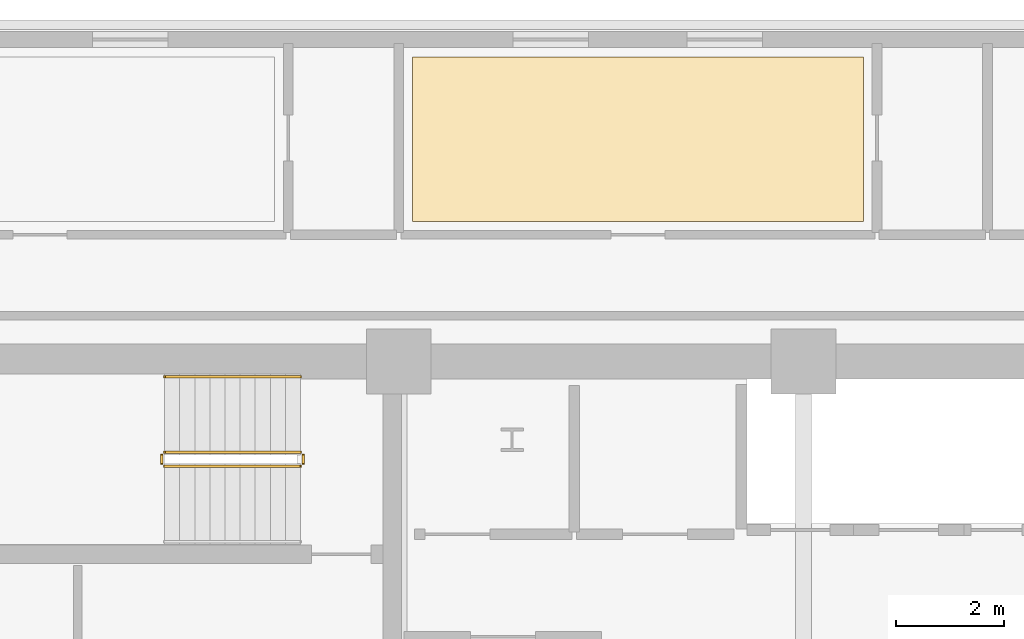
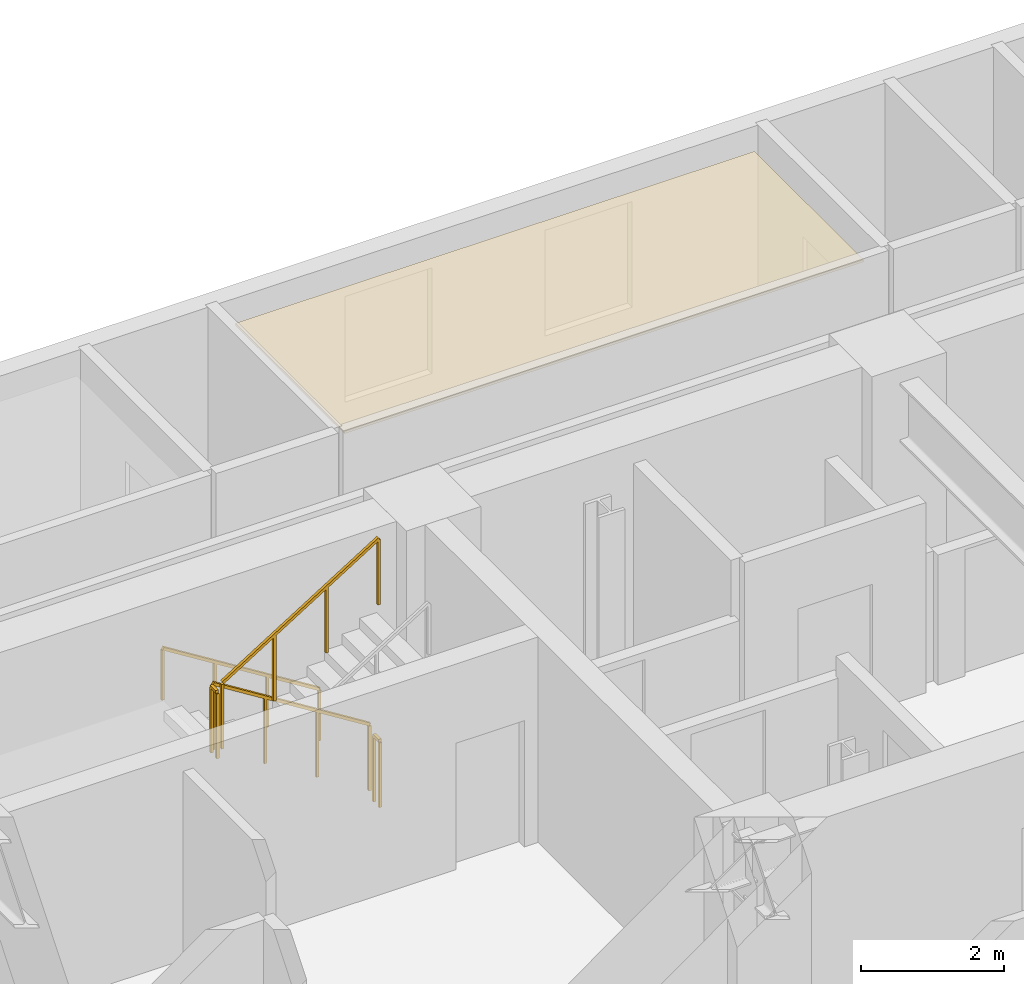
# One storey, part 14 of 15: 5 railings, 1 covering.
"""IFC4 building model written with IfcOpenShell, lengths in metres."""

from ifc_helpers import new_model, si_unit, direction, frame, origin, origin_2d, place, context, subcontext, project, spatial, polyline, rectangle, outline, extrude, material, layer, layer_set, type_object, element, save


model = new_model("IFC4")

# Units and contexts
model_context = context("Model", 3, precision=1e-05, world=origin(), true_north=direction((0.0, 1.0)))
body_context = subcontext(model_context, "Body", "Model", "MODEL_VIEW")
ifc_project = project(units=[si_unit("LENGTHUNIT", "METRE"), si_unit("AREAUNIT", "SQUARE_METRE"), si_unit("VOLUMEUNIT", "CUBIC_METRE"), si_unit("PLANEANGLEUNIT", "RADIAN"), si_unit("MASSUNIT", "GRAM", prefix="KILO")], contexts=[model_context])

# Site, building, storey
site_placement = place(None, origin())
site = spatial("IfcSite", under=ifc_project, at=site_placement, CompositionType="ELEMENT")
building_placement = place(site_placement, origin())
building = spatial("IfcBuilding", under=site, at=building_placement, Name="Zarnavel Station Tower", CompositionType="ELEMENT")
storey_placement = place(building_placement, frame((0.0, 0.0, 111.800048828125)))
storey = spatial("IfcBuildingStorey", under=building, at=storey_placement, Name="L30", CompositionType="ELEMENT", Elevation=111.800048828125)

# Covering
ifc_material_1 = material(Name="Perforated Gypsum and Mineral-Wool Acoustic Ceiling", Category="concrete")
ifc_layer = layer(ifc_material_1, 0.0400390625)
ifc_layer_set = layer_set([ifc_layer], Name="COV_CEIL_ACOUSTIC")
covering_type = type_object("IfcCoveringType", Name="COV_CEIL_ACOUSTIC", PredefinedType="CEILING", material=ifc_layer_set)
covering_placement = place(storey_placement, frame((0.0, 0.0, 2.919921875)))
element("IfcCovering", 1, at=covering_placement, inside=storey, type_object=covering_type, Name="L30 HN2R Acoustic Ceiling", PredefinedType="CEILING", context=body_context, shape_type="SweptSolid", body=[
    extrude(outline(polyline([(21.550048828125, 39.64990234375), (29.910888671875, 39.64990234375), (29.910888671875, 42.68994140625), (21.550048828125, 42.68994140625), (21.550048828125, 39.64990234375)])), origin(), (0.0, 0.0, 1.0), 0.0400390625),
])

# Railings
ifc_material_2 = material(Name="Painted Steel S355J2 Balustrade", Category="steel")
railing_type_1 = type_object("IfcRailingType", Name="GR_INT_1150", PredefinedType="GUARDRAIL", material=ifc_material_2)
railing_1_placement = place(storey_placement, frame((19.47998046875, 35.3701171875, 0.175048828125)))
element("IfcRailing", 2, at=railing_1_placement, inside=storey, type_object=railing_type_1, Name="L30 ST1 stair guard 1", PredefinedType="GUARDRAIL", context=body_context, shape_type="SweptSolid", body=[
    extrude(rectangle(XDim=0.048095703125, YDim=0.048095703125, at=origin_2d()), frame((-0.001708984375, 0.0, 1.126953125), z_axis=(-0.848007534815, 0.0, 0.529984170421), x_axis=(0.0, -1.0, 0.0)), (0.0, 0.0, 1.0), 2.9677734375),
    extrude(rectangle(XDim=0.0419921875, YDim=0.0419921875, at=origin_2d()), origin(), (0.0, 0.0, 1.0), 1.101806640625),
    extrude(rectangle(XDim=0.0419921875, YDim=0.0419921875, at=origin_2d()), frame((-0.840087890625, 0.0, 0.52490234375)), (0.0, 0.0, 1.0), 1.101806640625),
    extrude(rectangle(XDim=0.0419921875, YDim=0.0419921875, at=origin_2d()), frame((-1.679931640625, 0.0, 1.050048828125)), (0.0, 0.0, 1.0), 1.101806640625),
    extrude(rectangle(XDim=0.0419921875, YDim=0.0419921875, at=origin_2d()), frame((-2.52001953125, 0.0, 1.574951171875)), (0.0, 0.0, 1.0), 1.101806640625),
])
railing_2_placement = place(storey_placement, frame((16.909912109375, 35.320068359375, 1.75)))
element("IfcRailing", 3, at=railing_2_placement, inside=storey, type_object=railing_type_1, Name="L30 ST1 stair guard 2", PredefinedType="GUARDRAIL", context=body_context, shape_type="SweptSolid", body=[
    extrude(rectangle(XDim=0.048095703125, YDim=0.048095703125, at=origin_2d()), frame((0.0, -0.001953125, 1.1259765625), z_axis=(0.0, -1.0, 0.0), x_axis=(1.0, 0.0, 0.0)), (0.0, 0.0, 1.0), 0.15625),
    extrude(rectangle(XDim=0.0419921875, YDim=0.0419921875, at=origin_2d()), origin(), (0.0, 0.0, 1.0), 1.101806640625),
    extrude(rectangle(XDim=0.0419921875, YDim=0.0419921875, at=origin_2d()), frame((0.0, -0.16015625, 0.0)), (0.0, 0.0, 1.0), 1.101806640625),
])
railing_3_placement = place(storey_placement, frame((16.9599609375, 35.110107421875, 1.925048828125)))
element("IfcRailing", 4, at=railing_3_placement, inside=storey, type_object=railing_type_1, Name="L30 ST1 stair guard 3", PredefinedType="GUARDRAIL", context=body_context, shape_type="SweptSolid", body=[
    extrude(rectangle(XDim=0.048095703125, YDim=0.048095703125, at=origin_2d()), frame((0.001708984375, 0.0, 1.126953125), z_axis=(0.848007534815, 0.0, 0.529984170421), x_axis=(0.0, 1.0, 0.0)), (0.0, 0.0, 1.0), 2.9677734375),
    extrude(rectangle(XDim=0.0419921875, YDim=0.0419921875, at=origin_2d()), origin(), (0.0, 0.0, 1.0), 1.101806640625),
    extrude(rectangle(XDim=0.0419921875, YDim=0.0419921875, at=origin_2d()), frame((0.840087890625, 0.0, 0.52490234375)), (0.0, 0.0, 1.0), 1.101806640625),
    extrude(rectangle(XDim=0.0419921875, YDim=0.0419921875, at=origin_2d()), frame((1.679931640625, 0.0, 1.050048828125)), (0.0, 0.0, 1.0), 1.101806640625),
    extrude(rectangle(XDim=0.0419921875, YDim=0.0419921875, at=origin_2d()), frame((2.52001953125, 0.0, 1.574951171875)), (0.0, 0.0, 1.0), 1.101806640625),
])
railing_4_placement = place(storey_placement, frame((19.530029296875, 35.320068359375, 0.0)))
element("IfcRailing", 5, at=railing_4_placement, inside=storey, type_object=railing_type_1, Name="L30 ST1 stair guard 4", PredefinedType="GUARDRAIL", context=body_context, shape_type="SweptSolid", body=[
    extrude(rectangle(XDim=0.048095703125, YDim=0.048095703125, at=origin_2d()), frame((0.0, -0.001953125, 1.1259765625), z_axis=(0.0, -1.0, 0.0), x_axis=(1.0, 0.0, 0.0)), (0.0, 0.0, 1.0), 0.15625),
    extrude(rectangle(XDim=0.0419921875, YDim=0.0419921875, at=origin_2d()), origin(), (0.0, 0.0, 1.0), 1.101806640625),
    extrude(rectangle(XDim=0.0419921875, YDim=0.0419921875, at=origin_2d()), frame((0.0, -0.16015625, 0.0)), (0.0, 0.0, 1.0), 1.101806640625),
])
ifc_material_3 = material(Name="Brushed Stainless Steel S355J2 Handrail", Category="steel")
railing_type_2 = type_object("IfcRailingType", Name="HR_STAIR_900", PredefinedType="HANDRAIL", material=ifc_material_3)
railing_5_placement = place(storey_placement, frame((19.47998046875, 36.77001953125, 0.175048828125)))
element("IfcRailing", 6, at=railing_5_placement, inside=storey, type_object=railing_type_2, Name="L30 ST1 stair handrail 1", PredefinedType="HANDRAIL", context=body_context, shape_type="SweptSolid", body=[
    extrude(rectangle(XDim=0.048095703125, YDim=0.048095703125, at=origin_2d()), frame((-0.001708984375, 0.0, 0.876953125), z_axis=(-0.848007534815, 0.0, 0.529984170421), x_axis=(0.0, -1.0, 0.0)), (0.0, 0.0, 1.0), 2.9677734375),
    extrude(rectangle(XDim=0.0419921875, YDim=0.0419921875, at=origin_2d()), origin(), (0.0, 0.0, 1.0), 0.851806640625),
    extrude(rectangle(XDim=0.0419921875, YDim=0.0419921875, at=origin_2d()), frame((-0.840087890625, 0.0, 0.52490234375)), (0.0, 0.0, 1.0), 0.851806640625),
    extrude(rectangle(XDim=0.0419921875, YDim=0.0419921875, at=origin_2d()), frame((-1.679931640625, 0.0, 1.050048828125)), (0.0, 0.0, 1.0), 0.851806640625),
    extrude(rectangle(XDim=0.0419921875, YDim=0.0419921875, at=origin_2d()), frame((-2.52001953125, 0.0, 1.574951171875)), (0.0, 0.0, 1.0), 0.851806640625),
])

save(model, "model.ifc")
